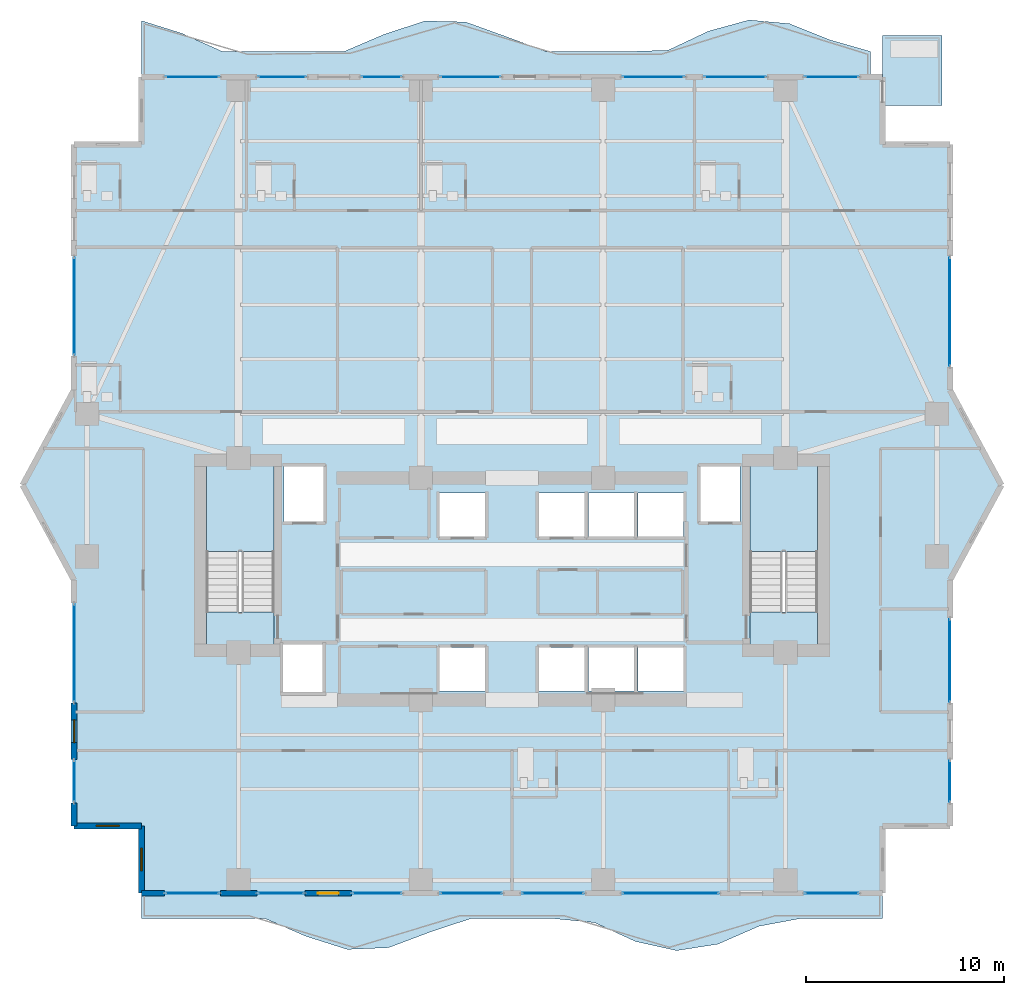
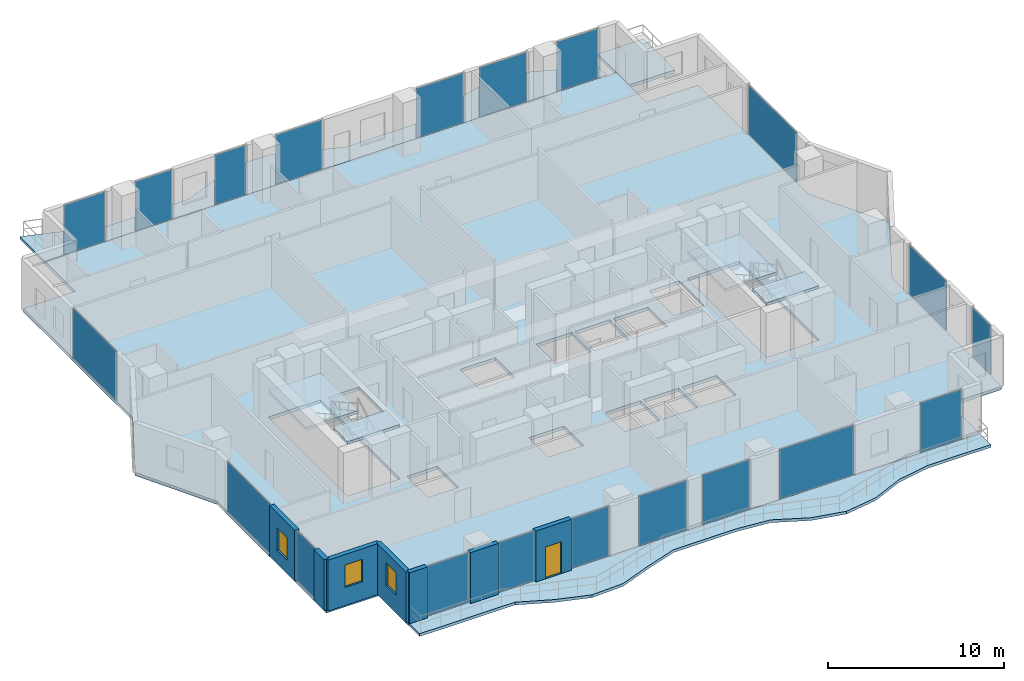
# One storey, part 24 of 33: 20 plates, 8 slabs, 7 walls, 3 windows, 1 door, 4 openings, 22 elements without a shape of their own.
"""IFC4 building model written with IfcOpenShell, lengths in metres."""

import ifcopenshell
import ifcopenshell.guid

model = None  # the IFC model being written
_history = None  # IfcOwnerHistory: only IFC2X3 demands one
_inside = {}  # id of a spatial element -> (the spatial element, [elements in it])
_under = {}  # id of a project, library or spatial element -> (it, [spatial elements below it])
_declared = {}  # id of a project -> (the project, [libraries it declares])
_typed = {}  # id of a type object -> (the type object, [elements of that type])
_made_of = {}  # id of a material, layer set ... -> (it, [elements and type objects made of it])


def new_model(schema):
    """Start an empty IFC model of exactly this schema.

    Asked for "IFC4X3", IfcOpenShell would pick the latest addendum, in which some entities
    have other attributes; the version numbers below select the first issue.
    IFC2X3 requires an IfcOwnerHistory on every rooted entity: one is made here for all.
    """
    global model, _history
    if schema == "IFC4X3":
        model = ifcopenshell.file(schema_version=(4, 3, 0, 0))
    else:
        model = ifcopenshell.file(schema=schema)
    _inside.clear()
    _under.clear()
    _declared.clear()
    _typed.clear()
    _made_of.clear()
    _history = None
    if model.schema == "IFC2X3":
        org = make("IfcOrganization", Name="unknown")
        user = make(
            "IfcPersonAndOrganization",
            ThePerson=make("IfcPerson", FamilyName="unknown"),
            TheOrganization=org,
        )
        app = make(
            "IfcApplication",
            ApplicationDeveloper=org,
            Version="unknown",
            ApplicationFullName="unknown",
            ApplicationIdentifier="unknown",
        )
        _history = make(
            "IfcOwnerHistory",
            OwningUser=user,
            OwningApplication=app,
            ChangeAction="ADDED",
            CreationDate=0,
        )
    return model


def make(cls, **values):
    """One entity of the class cls with the attributes given. An attribute that is None is left unset."""
    return model.create_entity(
        cls, **{name: value for name, value in values.items() if value is not None}
    )


def rooted(cls, **values):
    """An entity with a GlobalId (a new one), such as an element, a storey or a relation."""
    return make(cls, GlobalId=ifcopenshell.guid.new(), OwnerHistory=_history, **values)


def si_unit(unit_type, name, prefix=None):
    """IfcSIUnit, for example si_unit("LENGTHUNIT", "METRE", prefix="MILLI")."""
    return make("IfcSIUnit", UnitType=unit_type, Prefix=prefix, Name=name)


def assignment(units):
    """IfcUnitAssignment: the units of a project."""
    return None if units is None else make("IfcUnitAssignment", Units=units)


def point(xyz):
    """IfcCartesianPoint."""
    return None if xyz is None else make("IfcCartesianPoint", Coordinates=xyz)


def direction(xyz):
    """IfcDirection."""
    return None if xyz is None else make("IfcDirection", DirectionRatios=xyz)


def frame(location, z_axis=None, x_axis=None):
    """IfcAxis2Placement3D, a coordinate frame: its origin and axes. An axis left out is left unset."""
    return make(
        "IfcAxis2Placement3D",
        Location=point(location),
        Axis=direction(z_axis),
        RefDirection=direction(x_axis),
    )


def frame_2d(location, x_axis=None):
    """IfcAxis2Placement2D, a coordinate frame in the plane: its origin and x axis."""
    return make(
        "IfcAxis2Placement2D", Location=point(location), RefDirection=direction(x_axis)
    )


def origin():
    """The frame at (0, 0, 0) with its axes left unset."""
    return frame((0.0, 0.0, 0.0))


def origin_2d():
    """The frame at (0, 0) in the plane with its x axis left unset."""
    return frame_2d((0.0, 0.0))


def place(relative_to, where):
    """IfcLocalPlacement: puts the frame where relative to a parent placement (None: the world)."""
    return make(
        "IfcLocalPlacement", PlacementRelTo=relative_to, RelativePlacement=where
    )


def context(
    kind, dimensions, precision=None, world=None, true_north=None, identifier=None
):
    """IfcGeometricRepresentationContext, for example the 3D "Model" context."""
    return make(
        "IfcGeometricRepresentationContext",
        ContextIdentifier=identifier,
        ContextType=kind,
        CoordinateSpaceDimension=dimensions,
        Precision=precision,
        WorldCoordinateSystem=world,
        TrueNorth=true_north,
    )


def subcontext(parent, identifier, kind, view, scale=None):
    """IfcGeometricRepresentationSubContext, for example "Body" below "Model"."""
    return make(
        "IfcGeometricRepresentationSubContext",
        ContextIdentifier=identifier,
        ContextType=kind,
        ParentContext=parent,
        TargetScale=scale,
        TargetView=view,
    )


def project(units=None, contexts=None):
    """IfcProject with its units and contexts."""
    return rooted(
        "IfcProject",
        Name="project",
        RepresentationContexts=contexts,
        UnitsInContext=assignment(units),
    )


def spatial(cls, under=None, at=None, **own):
    """A site, building, storey or space (cls), placed at a placement, below another one or the project."""
    s = rooted(cls, ObjectPlacement=at, **own)
    if under is not None:
        _under.setdefault(under.id(), (under, []))[1].append(s)
    return s


def polyline(points):
    """IfcPolyline through the points."""
    return make("IfcPolyline", Points=[point(p) for p in points])


def profile(cls, at=None, kind="AREA", **sizes):
    """A parametric profile (cls). Its sizes go by their IFC names, for example OverallWidth=200.0."""
    return make(cls, ProfileType=kind, Position=at, **sizes)


def rectangle(**sizes):
    """IfcRectangleProfileDef."""
    return profile("IfcRectangleProfileDef", **sizes)


def outline(outer, holes=None, kind="AREA"):
    """IfcArbitraryClosedProfileDef: a profile drawn as a closed curve; with holes, ...WithVoids."""
    if holes is None:
        return make("IfcArbitraryClosedProfileDef", ProfileType=kind, OuterCurve=outer)
    return make(
        "IfcArbitraryProfileDefWithVoids",
        ProfileType=kind,
        OuterCurve=outer,
        InnerCurves=holes,
    )


def extrude(swept, where, along, depth):
    """IfcExtrudedAreaSolid: the profile swept, set in the frame where, extruded along a direction by depth."""
    return make(
        "IfcExtrudedAreaSolid",
        SweptArea=swept,
        Position=where,
        ExtrudedDirection=direction(along),
        Depth=depth,
    )


def shape(context_of_items, identifier, shape_type, items):
    """IfcShapeRepresentation: the items that make up one representation, for example the "Body"."""
    return make(
        "IfcShapeRepresentation",
        ContextOfItems=context_of_items,
        RepresentationIdentifier=identifier,
        RepresentationType=shape_type,
        Items=items,
    )


def material(Name=None, Category=None):
    """IfcMaterial."""
    return make("IfcMaterial", Name=Name, Category=Category)


def layer(
    of_material, thickness, ventilated=None, Name=None, Category=None, Priority=None
):
    """IfcMaterialLayer: one layer of a wall or slab, of a material (None: an air gap)."""
    return make(
        "IfcMaterialLayer",
        Material=of_material,
        LayerThickness=thickness,
        IsVentilated=ventilated,
        Name=Name,
        Category=Category,
        Priority=Priority,
    )


def layer_set(layers, Name=None):
    """IfcMaterialLayerSet."""
    return make("IfcMaterialLayerSet", MaterialLayers=layers, LayerSetName=Name)


def made_of(thing, what):
    """Note that an element or type object is made of a material, layer set ...; save() writes the relation."""
    if what is not None:
        _made_of.setdefault(what.id(), (what, []))[1].append(thing)
    return thing


def type_object(cls, material=None, **own):
    """A type object (cls), such as IfcWallType, which elements share."""
    return made_of(rooted(cls, **own), material)


def element(
    cls,
    number,
    at=None,
    inside=None,
    cuts=None,
    type_object=None,
    material=None,
    context=None,
    identifier="Body",
    shape_type=None,
    held_by="IfcProductDefinitionShape",
    body=None,
    shapes=None,
    **own,
):
    """One element of the class cls, such as IfcWall. Its Tag is "e" and its number.

    at: its placement. inside: the storey or other place that contains it. cuts: it is an
    opening in that element (IfcRelVoidsElement). A single representation is given by context,
    identifier, shape_type and body (its items); several are given by shapes. held_by: the class
    of the entity that holds the representations. save() writes the other relations.
    """
    e = rooted(cls, Tag="e%d" % number, ObjectPlacement=at, **own)
    if body is not None:
        shapes = [shape(context, identifier, shape_type, body)]
    if shapes is not None:
        e.Representation = make(held_by, Representations=shapes)
    if inside is not None:
        _inside.setdefault(inside.id(), (inside, []))[1].append(e)
    if cuts is not None:
        rooted(
            "IfcRelVoidsElement", RelatingBuildingElement=cuts, RelatedOpeningElement=e
        )
    if type_object is not None:
        _typed.setdefault(type_object.id(), (type_object, []))[1].append(e)
    return made_of(e, material)


def fill(opening, filler):
    """IfcRelFillsElement: the door or window that sits in an opening."""
    return rooted(
        "IfcRelFillsElement",
        RelatingOpeningElement=opening,
        RelatedBuildingElement=filler,
    )


def aggregate(whole, parts):
    """IfcRelAggregates: a whole, such as a stair, and the parts it consists of."""
    return rooted("IfcRelAggregates", RelatingObject=whole, RelatedObjects=parts)


def save(model, path):
    """Write the relations noted so far, then the file.

    IfcRelAggregates (storeys below a building ...), IfcRelContainedInSpatialStructure (elements
    in a storey), IfcRelDefinesByType, IfcRelAssociatesMaterial and IfcRelDeclares: one each for
    every whole, place, type object, material and project.
    """
    for whole, parts in _under.values():
        aggregate(whole, parts)
    for where, things in _inside.values():
        rooted(
            "IfcRelContainedInSpatialStructure",
            RelatedElements=things,
            RelatingStructure=where,
        )
    for kind, things in _typed.values():
        rooted("IfcRelDefinesByType", RelatedObjects=things, RelatingType=kind)
    for what, things in _made_of.values():
        rooted("IfcRelAssociatesMaterial", RelatedObjects=things, RelatingMaterial=what)
    for by, libraries in _declared.values():
        rooted("IfcRelDeclares", RelatingContext=by, RelatedDefinitions=libraries)
    model.write(path)


model = new_model("IFC4")

# Units and contexts
model_context = context("Model", 3, precision=1e-05, world=origin(), true_north=direction((0.0, 1.0)))
body_context = subcontext(model_context, "Body", "Model", "MODEL_VIEW")
ifc_project = project(units=[si_unit("LENGTHUNIT", "METRE"), si_unit("AREAUNIT", "SQUARE_METRE"), si_unit("VOLUMEUNIT", "CUBIC_METRE"), si_unit("PLANEANGLEUNIT", "RADIAN"), si_unit("MASSUNIT", "GRAM", prefix="KILO")], contexts=[model_context])

# Site, building, storey
site_placement = place(None, origin())
site = spatial("IfcSite", under=ifc_project, at=site_placement, CompositionType="ELEMENT")
building_placement = place(site_placement, origin())
building = spatial("IfcBuilding", under=site, at=building_placement, Name="Zuhayl Quay Hotel", CompositionType="ELEMENT")
storey_placement = place(building_placement, frame((0.0, 0.0, 214.89990234375)))
storey = spatial("IfcBuildingStorey", under=building, at=storey_placement, Name="L54", CompositionType="ELEMENT", Elevation=214.89990234375)

# Curtain wall, plate
ifc_material_1 = material(Name="Anodised Aluminium 6063-T6", Category="aluminium")
ifc_layer_1 = layer(ifc_material_1, 0.175048828125, Name="Anodised Aluminium 6063-T6", Category="aluminium")
ifc_layer_set_1 = layer_set([ifc_layer_1], Name="Anodised Aluminium 6063-T6")
curtain_wall_type = type_object("IfcCurtainWallType", Name="CW_SYS_Z3", PredefinedType="USERDEFINED", material=ifc_layer_set_1)
curtain_wall_1_placement = place(storey_placement, origin())
curtain_wall_1 = element("IfcCurtainWall", 1, at=curtain_wall_1_placement, inside=storey, type_object=curtain_wall_type, Name="L54 Curtain Wall ENV_L54_E02_CW1", ObjectType="UNITISED CURTAIN WALL", PredefinedType="USERDEFINED")
ifc_material_2 = material(Name="Dark Ceramic-Fritted Solar Glass", Category="glass")
ifc_layer_2 = layer(ifc_material_2, 0.0400390625, Name="Dark Ceramic-Fritted Solar Glass", Category="glass")
ifc_layer_set_2 = layer_set([ifc_layer_2], Name="Dark Ceramic-Fritted Solar Glass")
plate_type = type_object("IfcPlateType", Name="PN_OP_VENT_Z3", PredefinedType="CURTAIN_PANEL", material=ifc_layer_set_2)
plate_1_placement = place(storey_placement, frame((-22.10009765625, -1.949951171875, 0.05517578125), z_axis=(0.0, 0.0, 1.0), x_axis=(0.0, 1.0, 0.0)))
plate_1 = element("IfcPlate", 2, at=plate_1_placement, type_object=plate_type, Name="CW-Z3 panel 1.1", PredefinedType="CURTAIN_PANEL", context=body_context, shape_type="SweptSolid", body=[
    extrude(rectangle(XDim=2.070068359375, YDim=0.0400390625, at=origin_2d()), origin(), (0.0, 0.0, 1.0), 3.419921875),
])
aggregate(curtain_wall_1, [plate_1])

curtain_wall_2_placement = place(storey_placement, origin())
curtain_wall_2 = element("IfcCurtainWall", 3, at=curtain_wall_2_placement, inside=storey, type_object=curtain_wall_type, Name="L54 Curtain Wall ENV_L54_E02_CW2", ObjectType="UNITISED CURTAIN WALL", PredefinedType="USERDEFINED")
plate_2_placement = place(storey_placement, frame((-22.10009765625, 4.52490234375, 0.05517578125), z_axis=(0.0, 0.0, 1.0), x_axis=(0.0, 1.0, 0.0)))
plate_2 = element("IfcPlate", 4, at=plate_2_placement, type_object=plate_type, Name="CW-Z3 panel 1.1", PredefinedType="CURTAIN_PANEL", context=body_context, shape_type="SweptSolid", body=[
    extrude(rectangle(XDim=4.919921875, YDim=0.0400390625, at=origin_2d()), origin(), (0.0, 0.0, 1.0), 3.419921875),
])
aggregate(curtain_wall_2, [plate_2])

curtain_wall_3_placement = place(storey_placement, origin())
curtain_wall_3 = element("IfcCurtainWall", 5, at=curtain_wall_3_placement, inside=storey, type_object=curtain_wall_type, Name="L54 Curtain Wall ENV_L54_E05_CW1", ObjectType="UNITISED CURTAIN WALL", PredefinedType="USERDEFINED")
plate_3_placement = place(storey_placement, frame((-22.10009765625, 22.030029296875, 0.05517578125), z_axis=(0.0, 0.0, 1.0), x_axis=(0.0, 1.0, 0.0)))
plate_3 = element("IfcPlate", 6, at=plate_3_placement, type_object=plate_type, Name="CW-Z3 panel 1.1", PredefinedType="CURTAIN_PANEL", context=body_context, shape_type="SweptSolid", body=[
    extrude(rectangle(XDim=4.909912109375, YDim=0.0400390625, at=origin_2d()), origin(), (0.0, 0.0, 1.0), 3.419921875),
])
aggregate(curtain_wall_3, [plate_3])

curtain_wall_4_placement = place(storey_placement, origin())
curtain_wall_4 = element("IfcCurtainWall", 7, at=curtain_wall_4_placement, inside=storey, type_object=curtain_wall_type, Name="L54 Curtain Wall ENV_L54_N_CW1", ObjectType="UNITISED CURTAIN WALL", PredefinedType="USERDEFINED")
plate_4_placement = place(storey_placement, frame((-16.135009765625, 33.60009765625, 0.05517578125), z_axis=(0.0, 0.0, 1.0), x_axis=(1.0, 0.0, 0.0)))
plate_4 = element("IfcPlate", 8, at=plate_4_placement, type_object=plate_type, Name="CW-Z3 panel 1.1", PredefinedType="CURTAIN_PANEL", context=body_context, shape_type="SweptSolid", body=[
    extrude(rectangle(XDim=2.699951171875, YDim=0.0400390625, at=origin_2d()), origin(), (0.0, 0.0, 1.0), 3.419921875),
])
aggregate(curtain_wall_4, [plate_4])

curtain_wall_5_placement = place(storey_placement, origin())
curtain_wall_5 = element("IfcCurtainWall", 9, at=curtain_wall_5_placement, inside=storey, type_object=curtain_wall_type, Name="L54 Curtain Wall ENV_L54_N_CW2", ObjectType="UNITISED CURTAIN WALL", PredefinedType="USERDEFINED")
plate_5_placement = place(storey_placement, frame((-11.614990234375, 33.60009765625, 0.05517578125), z_axis=(0.0, 0.0, 1.0), x_axis=(1.0, 0.0, 0.0)))
plate_5 = element("IfcPlate", 10, at=plate_5_placement, type_object=plate_type, Name="CW-Z3 panel 1.1", PredefinedType="CURTAIN_PANEL", context=body_context, shape_type="SweptSolid", body=[
    extrude(rectangle(XDim=2.39990234375, YDim=0.0400390625, at=origin_2d()), origin(), (0.0, 0.0, 1.0), 3.419921875),
])
aggregate(curtain_wall_5, [plate_5])

curtain_wall_6_placement = place(storey_placement, origin())
curtain_wall_6 = element("IfcCurtainWall", 11, at=curtain_wall_6_placement, inside=storey, type_object=curtain_wall_type, Name="L54 Curtain Wall ENV_L54_N_CW3", ObjectType="UNITISED CURTAIN WALL", PredefinedType="USERDEFINED")
plate_6_placement = place(storey_placement, frame((-6.5849609375, 33.60009765625, 0.05517578125), z_axis=(0.0, 0.0, 1.0), x_axis=(1.0, 0.0, 0.0)))
plate_6 = element("IfcPlate", 12, at=plate_6_placement, type_object=plate_type, Name="CW-Z3 panel 1.1", PredefinedType="CURTAIN_PANEL", context=body_context, shape_type="SweptSolid", body=[
    extrude(rectangle(XDim=2.0, YDim=0.0400390625, at=origin_2d()), origin(), (0.0, 0.0, 1.0), 3.419921875),
])
aggregate(curtain_wall_6, [plate_6])

curtain_wall_7_placement = place(storey_placement, origin())
curtain_wall_7 = element("IfcCurtainWall", 13, at=curtain_wall_7_placement, inside=storey, type_object=curtain_wall_type, Name="L54 Curtain Wall ENV_L54_N_CW4", ObjectType="UNITISED CURTAIN WALL", PredefinedType="USERDEFINED")
plate_7_placement = place(storey_placement, frame((-2.10546875, 33.60009765625, 0.05517578125), z_axis=(0.0, 0.0, 1.0), x_axis=(1.0, 0.0, 0.0)))
plate_7 = element("IfcPlate", 14, at=plate_7_placement, type_object=plate_type, Name="CW-Z3 panel 1.1", PredefinedType="CURTAIN_PANEL", context=body_context, shape_type="SweptSolid", body=[
    extrude(rectangle(XDim=3.01904296875, YDim=0.0400390625, at=origin_2d()), origin(), (0.0, 0.0, 1.0), 3.419921875),
])
aggregate(curtain_wall_7, [plate_7])

curtain_wall_8_placement = place(storey_placement, origin())
curtain_wall_8 = element("IfcCurtainWall", 15, at=curtain_wall_8_placement, inside=storey, type_object=curtain_wall_type, Name="L54 Curtain Wall ENV_L54_N_CW5", ObjectType="UNITISED CURTAIN WALL", PredefinedType="USERDEFINED")
plate_8_placement = place(storey_placement, frame((7.135009765625, 33.60009765625, 0.05517578125), z_axis=(0.0, 0.0, 1.0), x_axis=(1.0, 0.0, 0.0)))
plate_8 = element("IfcPlate", 16, at=plate_8_placement, type_object=plate_type, Name="CW-Z3 panel 1.1", PredefinedType="CURTAIN_PANEL", context=body_context, shape_type="SweptSolid", body=[
    extrude(rectangle(XDim=3.10009765625, YDim=0.0400390625, at=origin_2d()), origin(), (0.0, 0.0, 1.0), 3.419921875),
])
aggregate(curtain_wall_8, [plate_8])

curtain_wall_9_placement = place(storey_placement, origin())
curtain_wall_9 = element("IfcCurtainWall", 17, at=curtain_wall_9_placement, inside=storey, type_object=curtain_wall_type, Name="L54 Curtain Wall ENV_L54_N_CW6", ObjectType="UNITISED CURTAIN WALL", PredefinedType="USERDEFINED")
plate_9_placement = place(storey_placement, frame((11.264892578125, 33.60009765625, 0.05517578125), z_axis=(0.0, 0.0, 1.0), x_axis=(1.0, 0.0, 0.0)))
plate_9 = element("IfcPlate", 18, at=plate_9_placement, type_object=plate_type, Name="CW-Z3 panel 1.1", PredefinedType="CURTAIN_PANEL", context=body_context, shape_type="SweptSolid", body=[
    extrude(rectangle(XDim=3.10009765625, YDim=0.0400390625, at=origin_2d()), origin(), (0.0, 0.0, 1.0), 3.419921875),
])
aggregate(curtain_wall_9, [plate_9])

curtain_wall_10_placement = place(storey_placement, origin())
curtain_wall_10 = element("IfcCurtainWall", 19, at=curtain_wall_10_placement, inside=storey, type_object=curtain_wall_type, Name="L54 Curtain Wall ENV_L54_N_CW7", ObjectType="UNITISED CURTAIN WALL", PredefinedType="USERDEFINED")
plate_10_placement = place(storey_placement, frame((16.135009765625, 33.60009765625, 0.05517578125), z_axis=(0.0, 0.0, 1.0), x_axis=(1.0, 0.0, 0.0)))
plate_10 = element("IfcPlate", 20, at=plate_10_placement, type_object=plate_type, Name="CW-Z3 panel 1.1", PredefinedType="CURTAIN_PANEL", context=body_context, shape_type="SweptSolid", body=[
    extrude(rectangle(XDim=2.699951171875, YDim=0.0400390625, at=origin_2d()), origin(), (0.0, 0.0, 1.0), 3.419921875),
])
aggregate(curtain_wall_10, [plate_10])

curtain_wall_11_placement = place(storey_placement, origin())
curtain_wall_11 = element("IfcCurtainWall", 21, at=curtain_wall_11_placement, inside=storey, type_object=curtain_wall_type, Name="L54 Curtain Wall ENV_L54_E11_CW1", ObjectType="UNITISED CURTAIN WALL", PredefinedType="USERDEFINED")
plate_11_placement = place(storey_placement, frame((22.10009765625, 21.75, 0.05517578125), z_axis=(0.0, 0.0, 1.0), x_axis=(0.0, -1.0, 0.0)))
plate_11 = element("IfcPlate", 22, at=plate_11_placement, type_object=plate_type, Name="CW-Z3 panel 1.1", PredefinedType="CURTAIN_PANEL", context=body_context, shape_type="SweptSolid", body=[
    extrude(rectangle(XDim=5.469970703125, YDim=0.0400390625, at=origin_2d()), origin(), (0.0, 0.0, 1.0), 3.419921875),
])
aggregate(curtain_wall_11, [plate_11])

curtain_wall_12_placement = place(storey_placement, origin())
curtain_wall_12 = element("IfcCurtainWall", 23, at=curtain_wall_12_placement, inside=storey, type_object=curtain_wall_type, Name="L54 Curtain Wall ENV_L54_E14_CW1", ObjectType="UNITISED CURTAIN WALL", PredefinedType="USERDEFINED")
plate_12_placement = place(storey_placement, frame((22.10009765625, 4.14990234375, 0.05517578125), z_axis=(0.0, 0.0, 1.0), x_axis=(0.0, -1.0, 0.0)))
plate_12 = element("IfcPlate", 24, at=plate_12_placement, type_object=plate_type, Name="CW-Z3 panel 1.1", PredefinedType="CURTAIN_PANEL", context=body_context, shape_type="SweptSolid", body=[
    extrude(rectangle(XDim=4.169921875, YDim=0.0400390625, at=origin_2d()), origin(), (0.0, 0.0, 1.0), 3.419921875),
])
aggregate(curtain_wall_12, [plate_12])

curtain_wall_13_placement = place(storey_placement, origin())
curtain_wall_13 = element("IfcCurtainWall", 25, at=curtain_wall_13_placement, inside=storey, type_object=curtain_wall_type, Name="L54 Curtain Wall ENV_L54_E14_CW2", ObjectType="UNITISED CURTAIN WALL", PredefinedType="USERDEFINED")
plate_13_placement = place(storey_placement, frame((22.10009765625, -1.949951171875, 0.05517578125), z_axis=(0.0, 0.0, 1.0), x_axis=(0.0, -1.0, 0.0)))
plate_13 = element("IfcPlate", 26, at=plate_13_placement, type_object=plate_type, Name="CW-Z3 panel 1.1", PredefinedType="CURTAIN_PANEL", context=body_context, shape_type="SweptSolid", body=[
    extrude(rectangle(XDim=2.070068359375, YDim=0.0400390625, at=origin_2d()), origin(), (0.0, 0.0, 1.0), 3.419921875),
])
aggregate(curtain_wall_13, [plate_13])

curtain_wall_14_placement = place(storey_placement, origin())
curtain_wall_14 = element("IfcCurtainWall", 27, at=curtain_wall_14_placement, inside=storey, type_object=curtain_wall_type, Name="L54 Curtain Wall ENV_L54_S_CW1", ObjectType="UNITISED CURTAIN WALL", PredefinedType="USERDEFINED")
plate_14_placement = place(storey_placement, frame((16.135009765625, -7.60009765625, 0.05517578125), z_axis=(0.0, 0.0, 1.0), x_axis=(-1.0, 0.0, 0.0)))
plate_14 = element("IfcPlate", 28, at=plate_14_placement, type_object=plate_type, Name="CW-Z3 panel 1.1", PredefinedType="CURTAIN_PANEL", context=body_context, shape_type="SweptSolid", body=[
    extrude(rectangle(XDim=2.699951171875, YDim=0.0400390625, at=origin_2d()), origin(), (0.0, 0.0, 1.0), 3.419921875),
])
aggregate(curtain_wall_14, [plate_14])

curtain_wall_15_placement = place(storey_placement, origin())
curtain_wall_15 = element("IfcCurtainWall", 29, at=curtain_wall_15_placement, inside=storey, type_object=curtain_wall_type, Name="L54 Curtain Wall ENV_L54_S_CW2", ObjectType="UNITISED CURTAIN WALL", PredefinedType="USERDEFINED")
plate_15_placement = place(storey_placement, frame((8.0048828125, -7.60009765625, 0.05517578125), z_axis=(0.0, 0.0, 1.0), x_axis=(-1.0, 0.0, 0.0)))
plate_15 = element("IfcPlate", 30, at=plate_15_placement, type_object=plate_type, Name="CW-Z3 panel 1.1", PredefinedType="CURTAIN_PANEL", context=body_context, shape_type="SweptSolid", body=[
    extrude(rectangle(XDim=4.840087890625, YDim=0.0400390625, at=origin_2d()), origin(), (0.0, 0.0, 1.0), 3.419921875),
])
aggregate(curtain_wall_15, [plate_15])

curtain_wall_16_placement = place(storey_placement, origin())
curtain_wall_16 = element("IfcCurtainWall", 31, at=curtain_wall_16_placement, inside=storey, type_object=curtain_wall_type, Name="L54 Curtain Wall ENV_L54_S_CW3", ObjectType="UNITISED CURTAIN WALL", PredefinedType="USERDEFINED")
plate_16_placement = place(storey_placement, frame((2.06494140625, -7.60009765625, 0.05517578125), z_axis=(0.0, 0.0, 1.0), x_axis=(-1.0, 0.0, 0.0)))
plate_16 = element("IfcPlate", 32, at=plate_16_placement, type_object=plate_type, Name="CW-Z3 panel 1.1", PredefinedType="CURTAIN_PANEL", context=body_context, shape_type="SweptSolid", body=[
    extrude(rectangle(XDim=3.10009765625, YDim=0.0400390625, at=origin_2d()), origin(), (0.0, 0.0, 1.0), 3.419921875),
])
aggregate(curtain_wall_16, [plate_16])

curtain_wall_17_placement = place(storey_placement, origin())
curtain_wall_17 = element("IfcCurtainWall", 33, at=curtain_wall_17_placement, inside=storey, type_object=curtain_wall_type, Name="L54 Curtain Wall ENV_L54_S_CW4", ObjectType="UNITISED CURTAIN WALL", PredefinedType="USERDEFINED")
plate_17_placement = place(storey_placement, frame((-2.06494140625, -7.60009765625, 0.05517578125), z_axis=(0.0, 0.0, 1.0), x_axis=(-1.0, 0.0, 0.0)))
plate_17 = element("IfcPlate", 34, at=plate_17_placement, type_object=plate_type, Name="CW-Z3 panel 1.1", PredefinedType="CURTAIN_PANEL", context=body_context, shape_type="SweptSolid", body=[
    extrude(rectangle(XDim=3.10009765625, YDim=0.0400390625, at=origin_2d()), origin(), (0.0, 0.0, 1.0), 3.419921875),
])
aggregate(curtain_wall_17, [plate_17])

curtain_wall_18_placement = place(storey_placement, origin())
curtain_wall_18 = element("IfcCurtainWall", 35, at=curtain_wall_18_placement, inside=storey, type_object=curtain_wall_type, Name="L54 Curtain Wall ENV_L54_S_CW5", ObjectType="UNITISED CURTAIN WALL", PredefinedType="USERDEFINED")
plate_18_placement = place(storey_placement, frame((-6.81005859375, -7.60009765625, 0.05517578125), z_axis=(0.0, 0.0, 1.0), x_axis=(-1.0, 0.0, 0.0)))
plate_18 = element("IfcPlate", 36, at=plate_18_placement, type_object=plate_type, Name="CW-Z3 panel 1.1", PredefinedType="CURTAIN_PANEL", context=body_context, shape_type="SweptSolid", body=[
    extrude(rectangle(XDim=2.449951171875, YDim=0.0400390625, at=origin_2d()), origin(), (0.0, 0.0, 1.0), 3.419921875),
])
aggregate(curtain_wall_18, [plate_18])

curtain_wall_19_placement = place(storey_placement, origin())
curtain_wall_19 = element("IfcCurtainWall", 37, at=curtain_wall_19_placement, inside=storey, type_object=curtain_wall_type, Name="L54 Curtain Wall ENV_L54_S_CW6", ObjectType="UNITISED CURTAIN WALL", PredefinedType="USERDEFINED")
plate_19_placement = place(storey_placement, frame((-11.6650390625, -7.60009765625, 0.05517578125), z_axis=(0.0, 0.0, 1.0), x_axis=(-1.0, 0.0, 0.0)))
plate_19 = element("IfcPlate", 38, at=plate_19_placement, type_object=plate_type, Name="CW-Z3 panel 1.1", PredefinedType="CURTAIN_PANEL", context=body_context, shape_type="SweptSolid", body=[
    extrude(rectangle(XDim=2.300048828125, YDim=0.0400390625, at=origin_2d()), origin(), (0.0, 0.0, 1.0), 3.419921875),
])
aggregate(curtain_wall_19, [plate_19])

curtain_wall_20_placement = place(storey_placement, origin())
curtain_wall_20 = element("IfcCurtainWall", 39, at=curtain_wall_20_placement, inside=storey, type_object=curtain_wall_type, Name="L54 Curtain Wall ENV_L54_S_CW7", ObjectType="UNITISED CURTAIN WALL", PredefinedType="USERDEFINED")
plate_20_placement = place(storey_placement, frame((-16.135009765625, -7.60009765625, 0.05517578125), z_axis=(0.0, 0.0, 1.0), x_axis=(-1.0, 0.0, 0.0)))
plate_20 = element("IfcPlate", 40, at=plate_20_placement, type_object=plate_type, Name="CW-Z3 panel 1.1", PredefinedType="CURTAIN_PANEL", context=body_context, shape_type="SweptSolid", body=[
    extrude(rectangle(XDim=2.699951171875, YDim=0.0400390625, at=origin_2d()), origin(), (0.0, 0.0, 1.0), 3.419921875),
])
aggregate(curtain_wall_20, [plate_20])

# Slabs
ifc_material_3 = material(Name="Concrete C45/55", Category="concrete")
ifc_layer_3 = layer(ifc_material_3, 0.195068359375, Name="Concrete C45/55", Category="concrete")
ifc_layer_set_3 = layer_set([ifc_layer_3], Name="Concrete C45/55")
slab_type_1 = type_object("IfcSlabType", Name="SL_BALCONY_195", PredefinedType="FLOOR", material=ifc_layer_set_3)
slab_1_placement = place(storey_placement, frame((0.0, 0.0, -0.19482421875)))
element("IfcSlab", 41, at=slab_1_placement, inside=storey, type_object=slab_type_1, Name="L54 Exterior Rippling Balcony Slab North", PredefinedType="FLOOR", context=body_context, shape_type="SweptSolid", body=[
    extrude(outline(polyline([(-18.699951171875, 33.60009765625), (18.10009765625, 33.60009765625), (18.10009765625, 34.8798828125), (16.0556640625, 35.467041015625), (14.010986328125, 36.286376953125), (11.966796875, 36.47265625), (9.922119140625, 35.912353515625), (7.877685546875, 34.947509765625), (5.833251953125, 34.8798828125), (3.788818359375, 34.8798828125), (1.744384765625, 34.8798828125), (-0.300048828125, 35.63623046875), (-2.344482421875, 36.37353515625), (-4.388916015625, 36.424560546875), (-6.433349609375, 35.75830078125), (-8.477783203125, 34.8798828125), (-10.522216796875, 34.8798828125), (-12.566650390625, 34.8798828125), (-14.611083984375, 34.8798828125), (-16.655517578125, 35.798095703125), (-18.699951171875, 36.438720703125), (-18.699951171875, 33.60009765625)])), origin(), (0.0, 0.0, 1.0), 0.19482421875),
])
slab_2_placement = place(storey_placement, frame((0.0, 0.0, -0.19482421875)))
element("IfcSlab", 42, at=slab_2_placement, inside=storey, type_object=slab_type_1, Name="L54 Exterior Rippling Balcony Slab South", PredefinedType="FLOOR", context=body_context, shape_type="SweptSolid", body=[
    extrude(outline(polyline([(-18.699951171875, -8.8798828125), (-16.622314453125, -8.8798828125), (-14.54443359375, -8.8798828125), (-12.466796875, -8.8798828125), (-10.388916015625, -9.7783203125), (-8.31103515625, -10.43701171875), (-6.2333984375, -10.348388671875), (-4.155517578125, -9.568359375), (-2.077880859375, -8.8798828125), (0.0, -8.8798828125), (2.077880859375, -8.8798828125), (4.155517578125, -9.081298828125), (6.2333984375, -10.03662109375), (8.31103515625, -10.49658203125), (10.388916015625, -10.171630859375), (12.466796875, -9.266357421875), (14.54443359375, -8.8798828125), (16.622314453125, -8.8798828125), (18.699951171875, -8.8798828125), (18.699951171875, -7.60009765625), (-18.699951171875, -7.60009765625), (-18.699951171875, -8.8798828125)])), origin(), (0.0, 0.0, 1.0), 0.19482421875),
])
ifc_layer_4 = layer(ifc_material_3, 0.219970703125, Name="Concrete C45/55", Category="concrete")
ifc_layer_set_4 = layer_set([ifc_layer_4], Name="Concrete C45/55")
slab_type_2 = type_object("IfcSlabType", Name="SL_FLOOR_220", PredefinedType="FLOOR", material=ifc_layer_set_4)
slab_3_placement = place(storey_placement, frame((0.0, 0.0, -0.219970703125)))
element("IfcSlab", 43, at=slab_3_placement, inside=storey, type_object=slab_type_2, Name="L54 Structural Floor Slab", PredefinedType="FLOOR", context=body_context, shape_type="SweptSolid", body=[
    extrude(outline(polyline([(-18.699951171875, -7.60009765625), (18.699951171875, -7.60009765625), (18.699951171875, -4.199951171875), (22.10009765625, -4.199951171875), (22.10009765625, 8.199951171875), (24.699951171875, 13.0), (22.10009765625, 17.800048828125), (22.10009765625, 30.199951171875), (18.699951171875, 30.199951171875), (18.699951171875, 33.60009765625), (-18.699951171875, 33.60009765625), (-18.699951171875, 30.199951171875), (-22.10009765625, 30.199951171875), (-22.10009765625, 17.800048828125), (-24.699951171875, 13.0), (-22.10009765625, 8.199951171875), (-22.10009765625, -4.199951171875), (-18.699951171875, -4.199951171875), (-18.699951171875, -7.60009765625)]), holes=[polyline([(-12.0, 4.949951171875), (-12.0, 13.949951171875), (-15.429931640625, 13.949951171875), (-15.429931640625, 4.949951171875), (-12.0, 4.949951171875)]), polyline([(15.429931640625, 4.949951171875), (15.429931640625, 13.949951171875), (12.0, 13.949951171875), (12.0, 4.949951171875), (15.429931640625, 4.949951171875)]), polyline([(-11.5, 11.14990234375), (-9.5, 11.14990234375), (-9.5, 13.949951171875), (-11.5, 13.949951171875), (-11.5, 11.14990234375)]), polyline([(9.5, 11.14990234375), (11.5, 11.14990234375), (11.5, 13.949951171875), (9.5, 13.949951171875), (9.5, 11.14990234375)]), polyline([(-3.64990234375, 2.60009765625), (-1.35009765625, 2.60009765625), (-1.35009765625, 4.800048828125), (-3.64990234375, 4.800048828125), (-3.64990234375, 2.60009765625)]), polyline([(1.35009765625, 2.60009765625), (3.64990234375, 2.60009765625), (3.64990234375, 4.800048828125), (1.35009765625, 4.800048828125), (1.35009765625, 2.60009765625)]), polyline([(-3.64990234375, 10.39990234375), (-1.35009765625, 10.39990234375), (-1.35009765625, 12.60009765625), (-3.64990234375, 12.60009765625), (-3.64990234375, 10.39990234375)]), polyline([(1.35009765625, 10.39990234375), (3.64990234375, 10.39990234375), (3.64990234375, 12.60009765625), (1.35009765625, 12.60009765625), (1.35009765625, 10.39990234375)]), polyline([(3.85009765625, 2.60009765625), (6.14990234375, 2.60009765625), (6.14990234375, 4.800048828125), (3.85009765625, 4.800048828125), (3.85009765625, 2.60009765625)]), polyline([(6.35009765625, 2.60009765625), (8.64990234375, 2.60009765625), (8.64990234375, 4.800048828125), (6.35009765625, 4.800048828125), (6.35009765625, 2.60009765625)]), polyline([(3.85009765625, 10.39990234375), (6.14990234375, 10.39990234375), (6.14990234375, 12.60009765625), (3.85009765625, 12.60009765625), (3.85009765625, 10.39990234375)]), polyline([(6.35009765625, 10.39990234375), (8.64990234375, 10.39990234375), (8.64990234375, 12.60009765625), (6.35009765625, 12.60009765625), (6.35009765625, 10.39990234375)]), polyline([(-11.550048828125, 2.550048828125), (-9.550048828125, 2.550048828125), (-9.550048828125, 4.949951171875), (-11.550048828125, 4.949951171875), (-11.550048828125, 2.550048828125)])]), origin(), (0.0, 0.0, 1.0), 0.219970703125),
])

# Stair, slabs
stair_type = type_object("IfcStairType", Name="ST_DOGLEG_TOWER", PredefinedType="HALF_TURN_STAIR", material=ifc_material_3)
stair_1_placement = place(storey_placement, origin())
stair_1 = element("IfcStair", 44, at=stair_1_placement, inside=storey, type_object=stair_type, Name="L54 Smokeproof Exit Stair ST1", PredefinedType="HALF_TURN_STAIR")
ifc_layer_5 = layer(ifc_material_3, 0.199951171875, Name="Concrete C45/55", Category="concrete")
ifc_layer_set_5 = layer_set([ifc_layer_5], Name="Concrete C45/55")
slab_type_3 = type_object("IfcSlabType", Name="SL_STAIR_LANDING_200", PredefinedType="LANDING", material=ifc_layer_set_5)
slab_4_placement = place(storey_placement, frame((0.0, 0.0, 1.675048828125)))
slab_4 = element("IfcSlab", 45, at=slab_4_placement, type_object=slab_type_3, Name="ST1 landing 1", PredefinedType="LANDING", context=body_context, shape_type="SweptSolid", body=[
    extrude(outline(polyline([(-12.0, 9.64990234375), (-12.0, 13.949951171875), (-15.429931640625, 13.949951171875), (-15.429931640625, 9.64990234375), (-12.0, 9.64990234375)])), origin(), (0.0, 0.0, 1.0), 0.199951171875),
])
slab_5_placement = place(storey_placement, frame((0.0, 0.0, 3.550048828125)))
slab_5 = element("IfcSlab", 46, at=slab_5_placement, type_object=slab_type_3, Name="ST1 landing 2", PredefinedType="LANDING", context=body_context, shape_type="SweptSolid", body=[
    extrude(outline(polyline([(-12.0, 4.949951171875), (-12.0, 6.590087890625), (-15.429931640625, 6.590087890625), (-15.429931640625, 4.949951171875), (-12.0, 4.949951171875)])), origin(), (0.0, 0.0, 1.0), 0.199951171875),
])
aggregate(stair_1, [slab_4, slab_5])

stair_2_placement = place(storey_placement, origin())
stair_2 = element("IfcStair", 47, at=stair_2_placement, inside=storey, type_object=stair_type, Name="L54 Smokeproof Exit Stair ST2", PredefinedType="HALF_TURN_STAIR")
slab_6_placement = place(storey_placement, frame((0.0, 0.0, 1.675048828125)))
slab_6 = element("IfcSlab", 48, at=slab_6_placement, type_object=slab_type_3, Name="ST2 landing 1", PredefinedType="LANDING", context=body_context, shape_type="SweptSolid", body=[
    extrude(outline(polyline([(15.429931640625, 9.64990234375), (15.429931640625, 13.949951171875), (12.0, 13.949951171875), (12.0, 9.64990234375), (15.429931640625, 9.64990234375)])), origin(), (0.0, 0.0, 1.0), 0.199951171875),
])
slab_7_placement = place(storey_placement, frame((0.0, 0.0, 3.550048828125)))
slab_7 = element("IfcSlab", 49, at=slab_7_placement, type_object=slab_type_3, Name="ST2 landing 2", PredefinedType="LANDING", context=body_context, shape_type="SweptSolid", body=[
    extrude(outline(polyline([(15.429931640625, 4.949951171875), (15.429931640625, 6.590087890625), (12.0, 6.590087890625), (12.0, 4.949951171875), (15.429931640625, 4.949951171875)])), origin(), (0.0, 0.0, 1.0), 0.199951171875),
])
aggregate(stair_2, [slab_6, slab_7])

# Slab
ifc_layer_6 = layer(ifc_material_3, 0.219970703125, Name="Concrete C45/55", Category="concrete")
ifc_layer_set_6 = layer_set([ifc_layer_6], Name="Concrete C45/55")
slab_type_4 = type_object("IfcSlabType", Name="SL_TERRACE_235", PredefinedType="FLOOR", material=ifc_layer_set_6)
slab_8_placement = place(storey_placement, frame((0.0, 0.0, -0.219970703125)))
element("IfcSlab", 50, at=slab_8_placement, inside=storey, type_object=slab_type_4, Name="L54 Exterior Sky-Terrace Slab L54_SPIRAL_NE", PredefinedType="FLOOR", context=body_context, shape_type="SweptSolid", body=[
    extrude(outline(polyline([(18.699951171875, 32.14990234375), (21.699951171875, 32.14990234375), (21.699951171875, 35.699951171875), (18.699951171875, 35.699951171875), (18.699951171875, 32.14990234375)])), origin(), (0.0, 0.0, 1.0), 0.219970703125),
])

# Wall, opening, window
ifc_material_4 = material(Name="Precast concrete C45/55", Category="concrete")
ifc_layer_7 = layer(ifc_material_4, 0.300048828125, Name="Precast concrete C45/55", Category="concrete")
ifc_layer_set_7 = layer_set([ifc_layer_7], Name="Precast concrete C45/55")
wall_type = type_object("IfcWallType", Name="WL_EXT_300", PredefinedType="STANDARD", material=ifc_layer_set_7)
wall_1_placement = place(storey_placement, frame((-18.699951171875, -4.199951171875, 0.0), z_axis=(0.0, 0.0, 1.0), x_axis=(-1.0, 0.0, 0.0)))
wall_1 = element("IfcWall", 51, at=wall_1_placement, inside=storey, type_object=wall_type, Name="L54 Exterior Precast Wall ENV_L54_EW01", PredefinedType="STANDARD", context=body_context, shape_type="SweptSolid", body=[
    extrude(rectangle(XDim=3.400146484375, YDim=0.300048828125, at=frame_2d((1.7001953125, 0.0))), origin(), (0.0, 0.0, 1.0), 3.530029296875),
])
opening_1_placement = place(wall_1_placement, frame((1.125, 0.0, 1.25)))
opening_1 = element("IfcOpeningElement", 52, at=opening_1_placement, cuts=wall_1, Name="Opening W01N", PredefinedType="OPENING", context=body_context, shape_type="SweptSolid", body=[
    extrude(rectangle(XDim=1.14990234375, YDim=1.550048828125, at=frame_2d((0.574951171875, 0.77490234375))), frame((0.0, 0.159912109375, 0.0), z_axis=(0.0, -1.0, 0.0), x_axis=(1.0, 0.0, 0.0)), (0.0, 0.0, 1.0), 0.320068359375),
])
window_type = type_object("IfcWindowType", Name="WN_NOTCH_1350", PartitioningType="SINGLE_PANEL", PredefinedType="WINDOW", material=ifc_material_2)
window_1_placement = place(opening_1_placement, origin())
window_1 = element("IfcWindow", 53, at=window_1_placement, inside=storey, type_object=window_type, Name="L54 Corner Notch Window 1", OverallHeight=1.550048828125, OverallWidth=1.14990234375, PartitioningType="SINGLE_PANEL", PredefinedType="WINDOW", context=body_context, shape_type="SweptSolid", body=[
    extrude(rectangle(XDim=1.14990234375, YDim=1.550048828125, at=frame_2d((0.574951171875, 0.77490234375))), frame((0.0, 0.030029296875, 0.0), z_axis=(0.0, -1.0, 0.0), x_axis=(1.0, 0.0, 0.0)), (0.0, 0.0, 1.0), 0.06005859375),
])
fill(opening_1, window_1)

# Wall
wall_2_placement = place(storey_placement, frame((-22.10009765625, -4.199951171875, 0.0), z_axis=(0.0, 0.0, 1.0), x_axis=(0.0, 1.0, 0.0)))
element("IfcWall", 54, at=wall_2_placement, inside=storey, type_object=wall_type, Name="L54 Exterior Precast Wall ENV_L54_E02_EW1", PredefinedType="STANDARD", context=body_context, shape_type="SweptSolid", body=[
    extrude(rectangle(XDim=1.14990234375, YDim=0.300048828125, at=frame_2d((0.574951171875, 0.0))), origin(), (0.0, 0.0, 1.0), 3.530029296875),
])

# Wall, opening, window
wall_3_placement = place(storey_placement, frame((-22.10009765625, -0.85009765625, 0.0), z_axis=(0.0, 0.0, 1.0), x_axis=(0.0, 1.0, 0.0)))
wall_3 = element("IfcWall", 55, at=wall_3_placement, inside=storey, type_object=wall_type, Name="L54 Exterior Precast Wall ENV_L54_E02_EW2", PredefinedType="STANDARD", context=body_context, shape_type="SweptSolid", body=[
    extrude(rectangle(XDim=2.85009765625, YDim=0.300048828125, at=frame_2d((1.425048828125, 0.0))), origin(), (0.0, 0.0, 1.0), 3.530029296875),
])
opening_2_placement = place(wall_3_placement, frame((0.85009765625, 0.0, 0.949951171875)))
opening_2 = element("IfcOpeningElement", 56, at=opening_2_placement, cuts=wall_3, Name="Opening W01N", PredefinedType="OPENING", context=body_context, shape_type="SweptSolid", body=[
    extrude(rectangle(XDim=1.14990234375, YDim=1.550048828125, at=frame_2d((0.574951171875, 0.77490234375))), frame((0.0, 0.159912109375, 0.0), z_axis=(0.0, -1.0, 0.0), x_axis=(1.0, 0.0, 0.0)), (0.0, 0.0, 1.0), 0.320068359375),
])
window_2_placement = place(opening_2_placement, origin())
window_2 = element("IfcWindow", 57, at=window_2_placement, inside=storey, type_object=window_type, Name="L54 Operable Facade Window 2-1", OverallHeight=1.550048828125, OverallWidth=1.14990234375, PartitioningType="SINGLE_PANEL", PredefinedType="WINDOW", context=body_context, shape_type="SweptSolid", body=[
    extrude(rectangle(XDim=1.14990234375, YDim=1.550048828125, at=frame_2d((0.574951171875, 0.77490234375))), frame((0.0, 0.030029296875, 0.0), z_axis=(0.0, -1.0, 0.0), x_axis=(1.0, 0.0, 0.0)), (0.0, 0.0, 1.0), 0.06005859375),
])
fill(opening_2, window_2)

# Wall, opening, door
wall_4_placement = place(storey_placement, frame((-8.10009765625, -7.60009765625, 0.0), z_axis=(0.0, 0.0, 1.0), x_axis=(-1.0, 0.0, 0.0)))
wall_4 = element("IfcWall", 58, at=wall_4_placement, inside=storey, type_object=wall_type, Name="L54 Exterior Precast Wall ENV_L54_S_EW6", PredefinedType="STANDARD", context=body_context, shape_type="SweptSolid", body=[
    extrude(rectangle(XDim=2.349853515625, YDim=0.300048828125, at=frame_2d((1.1748046875, 0.0))), origin(), (0.0, 0.0, 1.0), 3.530029296875),
])
opening_3_placement = place(wall_4_placement, frame((0.64990234375, 0.0, 0.0)))
opening_3 = element("IfcOpeningElement", 59, at=opening_3_placement, cuts=wall_4, Name="Opening DG1", PredefinedType="OPENING", context=body_context, shape_type="SweptSolid", body=[
    extrude(rectangle(XDim=1.050048828125, YDim=2.199951171875, at=frame_2d((0.52490234375, 1.10009765625))), frame((0.0, 0.159912109375, 0.0), z_axis=(0.0, -1.0, 0.0), x_axis=(1.0, 0.0, 0.0)), (0.0, 0.0, 1.0), 0.320068359375),
])
ifc_material_5 = material(Name="Anodised Aluminium and Dark Solar Glass", Category="aluminium")
door_type = type_object("IfcDoorType", Name="DR_EXT_TERR_1050", OperationType="NOTDEFINED", PredefinedType="DOOR", material=ifc_material_5)
door_placement = place(opening_3_placement, origin())
door = element("IfcDoor", 60, at=door_placement, inside=storey, type_object=door_type, Name="L54 South Rippling Balcony Door", OperationType="SINGLE_SWING_RIGHT", OverallHeight=2.199951171875, OverallWidth=1.050048828125, PredefinedType="DOOR", context=body_context, shape_type="SweptSolid", body=[
    extrude(rectangle(XDim=1.050048828125, YDim=2.199951171875, at=frame_2d((0.52490234375, 1.10009765625))), frame((0.0, 0.02490234375, 0.0), z_axis=(0.0, -1.0, 0.0), x_axis=(1.0, 0.0, 0.0)), (0.0, 0.0, 1.0), 0.050048828125),
])
fill(opening_3, door)

# Walls
wall_5_placement = place(storey_placement, frame((-12.8798828125, -7.60009765625, 0.0), z_axis=(0.0, 0.0, 1.0), x_axis=(-1.0, 0.0, 0.0)))
element("IfcWall", 61, at=wall_5_placement, inside=storey, type_object=wall_type, Name="L54 Exterior Precast Wall ENV_L54_S_EW7", PredefinedType="STANDARD", context=body_context, shape_type="SweptSolid", body=[
    extrude(rectangle(XDim=1.840087890625, YDim=0.300048828125, at=frame_2d((0.919921875, 0.0))), origin(), (0.0, 0.0, 1.0), 3.530029296875),
])
wall_6_placement = place(storey_placement, frame((-17.550048828125, -7.60009765625, 0.0), z_axis=(0.0, 0.0, 1.0), x_axis=(-1.0, 0.0, 0.0)))
element("IfcWall", 62, at=wall_6_placement, inside=storey, type_object=wall_type, Name="L54 Exterior Precast Wall ENV_L54_S_EW8", PredefinedType="STANDARD", context=body_context, shape_type="SweptSolid", body=[
    extrude(rectangle(XDim=1.14990234375, YDim=0.300048828125, at=frame_2d((0.574951171875, 0.0))), origin(), (0.0, 0.0, 1.0), 3.530029296875),
])

# Wall, opening, window
wall_7_placement = place(storey_placement, frame((-18.699951171875, -7.60009765625, 0.0), z_axis=(0.0, 0.0, 1.0), x_axis=(0.0, 1.0, 0.0)))
wall_7 = element("IfcWall", 63, at=wall_7_placement, inside=storey, type_object=wall_type, Name="L54 Exterior Precast Wall ENV_L54_EW18", PredefinedType="STANDARD", context=body_context, shape_type="SweptSolid", body=[
    extrude(rectangle(XDim=3.400146484375, YDim=0.300048828125, at=frame_2d((1.7001953125, 0.0))), origin(), (0.0, 0.0, 1.0), 3.530029296875),
])
opening_4_placement = place(wall_7_placement, frame((1.125, 0.0, 1.25)))
opening_4 = element("IfcOpeningElement", 64, at=opening_4_placement, cuts=wall_7, Name="Opening W01N", PredefinedType="OPENING", context=body_context, shape_type="SweptSolid", body=[
    extrude(rectangle(XDim=1.14990234375, YDim=1.550048828125, at=frame_2d((0.574951171875, 0.77490234375))), frame((0.0, 0.159912109375, 0.0), z_axis=(0.0, -1.0, 0.0), x_axis=(1.0, 0.0, 0.0)), (0.0, 0.0, 1.0), 0.320068359375),
])
window_3_placement = place(opening_4_placement, origin())
window_3 = element("IfcWindow", 65, at=window_3_placement, inside=storey, type_object=window_type, Name="L54 Corner Notch Window 18", OverallHeight=1.550048828125, OverallWidth=1.14990234375, PartitioningType="SINGLE_PANEL", PredefinedType="WINDOW", context=body_context, shape_type="SweptSolid", body=[
    extrude(rectangle(XDim=1.14990234375, YDim=1.550048828125, at=frame_2d((0.574951171875, 0.77490234375))), frame((0.0, 0.030029296875, 0.0), z_axis=(0.0, -1.0, 0.0), x_axis=(1.0, 0.0, 0.0)), (0.0, 0.0, 1.0), 0.06005859375),
])
fill(opening_4, window_3)

save(model, "model.ifc")
